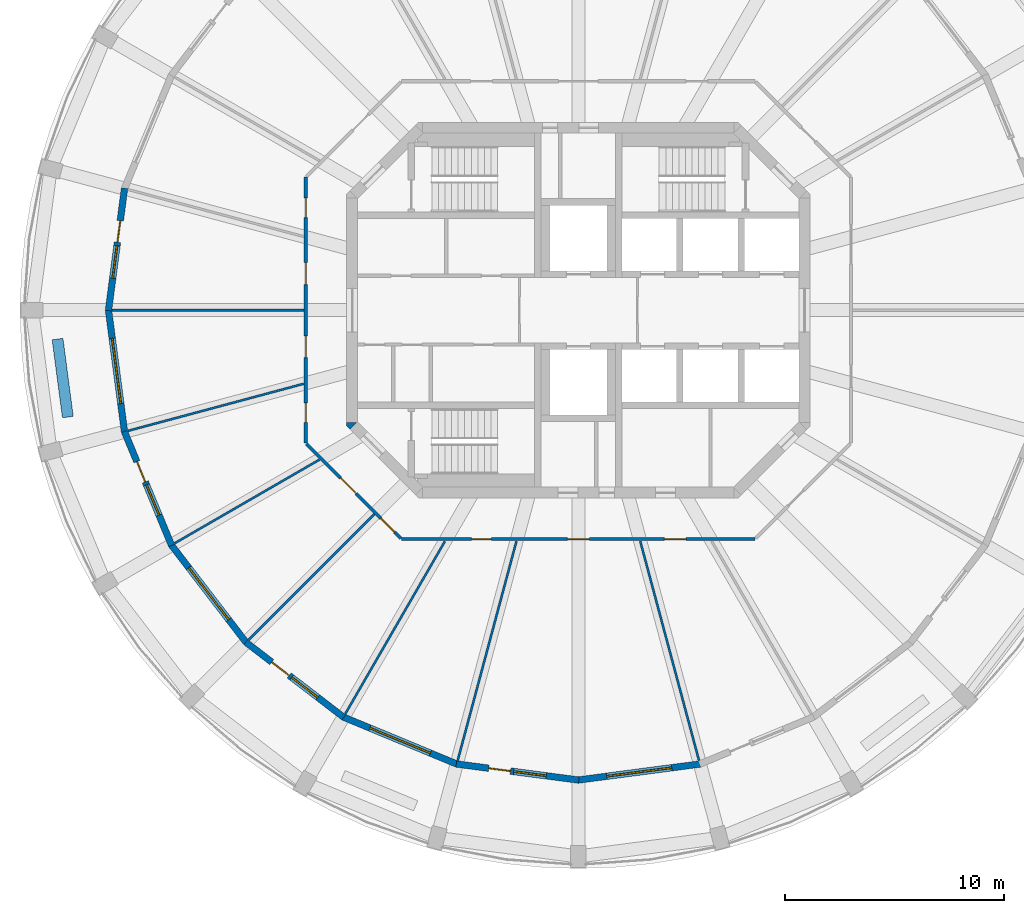
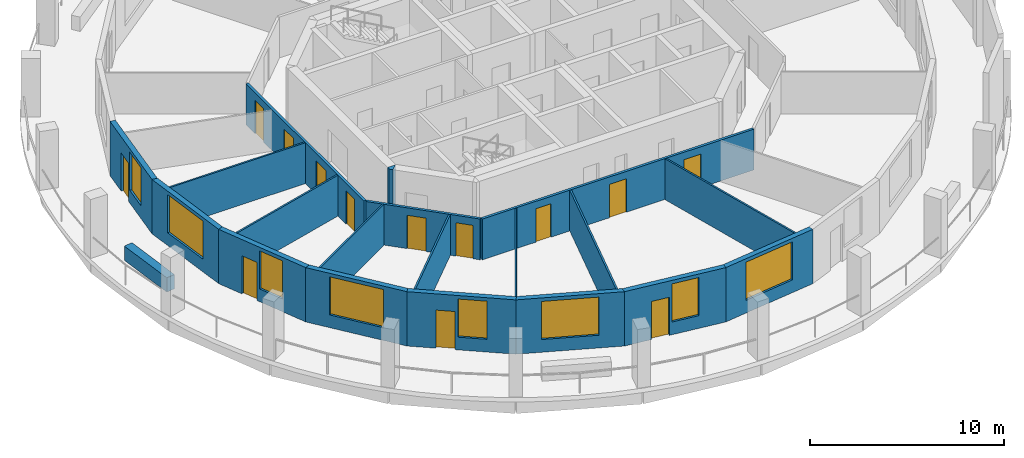
# One storey, part 2 of 8: 20 walls, 13 doors, 8 windows, 21 openings.
"""IFC4 building model written with IfcOpenShell, lengths in metres."""

import ifcopenshell
import ifcopenshell.guid

model = None  # the IFC model being written
_history = None  # IfcOwnerHistory: only IFC2X3 demands one
_inside = {}  # id of a spatial element -> (the spatial element, [elements in it])
_under = {}  # id of a project, library or spatial element -> (it, [spatial elements below it])
_declared = {}  # id of a project -> (the project, [libraries it declares])
_typed = {}  # id of a type object -> (the type object, [elements of that type])
_made_of = {}  # id of a material, layer set ... -> (it, [elements and type objects made of it])


def new_model(schema):
    """Start an empty IFC model of exactly this schema.

    Asked for "IFC4X3", IfcOpenShell would pick the latest addendum, in which some entities
    have other attributes; the version numbers below select the first issue.
    IFC2X3 requires an IfcOwnerHistory on every rooted entity: one is made here for all.
    """
    global model, _history
    if schema == "IFC4X3":
        model = ifcopenshell.file(schema_version=(4, 3, 0, 0))
    else:
        model = ifcopenshell.file(schema=schema)
    _inside.clear()
    _under.clear()
    _declared.clear()
    _typed.clear()
    _made_of.clear()
    _history = None
    if model.schema == "IFC2X3":
        org = make("IfcOrganization", Name="unknown")
        user = make(
            "IfcPersonAndOrganization",
            ThePerson=make("IfcPerson", FamilyName="unknown"),
            TheOrganization=org,
        )
        app = make(
            "IfcApplication",
            ApplicationDeveloper=org,
            Version="unknown",
            ApplicationFullName="unknown",
            ApplicationIdentifier="unknown",
        )
        _history = make(
            "IfcOwnerHistory",
            OwningUser=user,
            OwningApplication=app,
            ChangeAction="ADDED",
            CreationDate=0,
        )
    return model


def make(cls, **values):
    """One entity of the class cls with the attributes given. An attribute that is None is left unset."""
    return model.create_entity(
        cls, **{name: value for name, value in values.items() if value is not None}
    )


def rooted(cls, **values):
    """An entity with a GlobalId (a new one), such as an element, a storey or a relation."""
    return make(cls, GlobalId=ifcopenshell.guid.new(), OwnerHistory=_history, **values)


def si_unit(unit_type, name, prefix=None):
    """IfcSIUnit, for example si_unit("LENGTHUNIT", "METRE", prefix="MILLI")."""
    return make("IfcSIUnit", UnitType=unit_type, Prefix=prefix, Name=name)


def assignment(units):
    """IfcUnitAssignment: the units of a project."""
    return None if units is None else make("IfcUnitAssignment", Units=units)


def point(xyz):
    """IfcCartesianPoint."""
    return None if xyz is None else make("IfcCartesianPoint", Coordinates=xyz)


def direction(xyz):
    """IfcDirection."""
    return None if xyz is None else make("IfcDirection", DirectionRatios=xyz)


def frame(location, z_axis=None, x_axis=None):
    """IfcAxis2Placement3D, a coordinate frame: its origin and axes. An axis left out is left unset."""
    return make(
        "IfcAxis2Placement3D",
        Location=point(location),
        Axis=direction(z_axis),
        RefDirection=direction(x_axis),
    )


def frame_2d(location, x_axis=None):
    """IfcAxis2Placement2D, a coordinate frame in the plane: its origin and x axis."""
    return make(
        "IfcAxis2Placement2D", Location=point(location), RefDirection=direction(x_axis)
    )


def origin():
    """The frame at (0, 0, 0) with its axes left unset."""
    return frame((0.0, 0.0, 0.0))


def place(relative_to, where):
    """IfcLocalPlacement: puts the frame where relative to a parent placement (None: the world)."""
    return make(
        "IfcLocalPlacement", PlacementRelTo=relative_to, RelativePlacement=where
    )


def context(
    kind, dimensions, precision=None, world=None, true_north=None, identifier=None
):
    """IfcGeometricRepresentationContext, for example the 3D "Model" context."""
    return make(
        "IfcGeometricRepresentationContext",
        ContextIdentifier=identifier,
        ContextType=kind,
        CoordinateSpaceDimension=dimensions,
        Precision=precision,
        WorldCoordinateSystem=world,
        TrueNorth=true_north,
    )


def subcontext(parent, identifier, kind, view, scale=None):
    """IfcGeometricRepresentationSubContext, for example "Body" below "Model"."""
    return make(
        "IfcGeometricRepresentationSubContext",
        ContextIdentifier=identifier,
        ContextType=kind,
        ParentContext=parent,
        TargetScale=scale,
        TargetView=view,
    )


def project(units=None, contexts=None):
    """IfcProject with its units and contexts."""
    return rooted(
        "IfcProject",
        Name="project",
        RepresentationContexts=contexts,
        UnitsInContext=assignment(units),
    )


def spatial(cls, under=None, at=None, **own):
    """A site, building, storey or space (cls), placed at a placement, below another one or the project."""
    s = rooted(cls, ObjectPlacement=at, **own)
    if under is not None:
        _under.setdefault(under.id(), (under, []))[1].append(s)
    return s


def polyline(points):
    """IfcPolyline through the points."""
    return make("IfcPolyline", Points=[point(p) for p in points])


def profile(cls, at=None, kind="AREA", **sizes):
    """A parametric profile (cls). Its sizes go by their IFC names, for example OverallWidth=200.0."""
    return make(cls, ProfileType=kind, Position=at, **sizes)


def rectangle(**sizes):
    """IfcRectangleProfileDef."""
    return profile("IfcRectangleProfileDef", **sizes)


def outline(outer, holes=None, kind="AREA"):
    """IfcArbitraryClosedProfileDef: a profile drawn as a closed curve; with holes, ...WithVoids."""
    if holes is None:
        return make("IfcArbitraryClosedProfileDef", ProfileType=kind, OuterCurve=outer)
    return make(
        "IfcArbitraryProfileDefWithVoids",
        ProfileType=kind,
        OuterCurve=outer,
        InnerCurves=holes,
    )


def extrude(swept, where, along, depth):
    """IfcExtrudedAreaSolid: the profile swept, set in the frame where, extruded along a direction by depth."""
    return make(
        "IfcExtrudedAreaSolid",
        SweptArea=swept,
        Position=where,
        ExtrudedDirection=direction(along),
        Depth=depth,
    )


def shape(context_of_items, identifier, shape_type, items):
    """IfcShapeRepresentation: the items that make up one representation, for example the "Body"."""
    return make(
        "IfcShapeRepresentation",
        ContextOfItems=context_of_items,
        RepresentationIdentifier=identifier,
        RepresentationType=shape_type,
        Items=items,
    )


def material(Name=None, Category=None):
    """IfcMaterial."""
    return make("IfcMaterial", Name=Name, Category=Category)


def layer(
    of_material, thickness, ventilated=None, Name=None, Category=None, Priority=None
):
    """IfcMaterialLayer: one layer of a wall or slab, of a material (None: an air gap)."""
    return make(
        "IfcMaterialLayer",
        Material=of_material,
        LayerThickness=thickness,
        IsVentilated=ventilated,
        Name=Name,
        Category=Category,
        Priority=Priority,
    )


def layer_set(layers, Name=None):
    """IfcMaterialLayerSet."""
    return make("IfcMaterialLayerSet", MaterialLayers=layers, LayerSetName=Name)


def made_of(thing, what):
    """Note that an element or type object is made of a material, layer set ...; save() writes the relation."""
    if what is not None:
        _made_of.setdefault(what.id(), (what, []))[1].append(thing)
    return thing


def type_object(cls, material=None, **own):
    """A type object (cls), such as IfcWallType, which elements share."""
    return made_of(rooted(cls, **own), material)


def element(
    cls,
    number,
    at=None,
    inside=None,
    cuts=None,
    type_object=None,
    material=None,
    context=None,
    identifier="Body",
    shape_type=None,
    held_by="IfcProductDefinitionShape",
    body=None,
    shapes=None,
    **own,
):
    """One element of the class cls, such as IfcWall. Its Tag is "e" and its number.

    at: its placement. inside: the storey or other place that contains it. cuts: it is an
    opening in that element (IfcRelVoidsElement). A single representation is given by context,
    identifier, shape_type and body (its items); several are given by shapes. held_by: the class
    of the entity that holds the representations. save() writes the other relations.
    """
    e = rooted(cls, Tag="e%d" % number, ObjectPlacement=at, **own)
    if body is not None:
        shapes = [shape(context, identifier, shape_type, body)]
    if shapes is not None:
        e.Representation = make(held_by, Representations=shapes)
    if inside is not None:
        _inside.setdefault(inside.id(), (inside, []))[1].append(e)
    if cuts is not None:
        rooted(
            "IfcRelVoidsElement", RelatingBuildingElement=cuts, RelatedOpeningElement=e
        )
    if type_object is not None:
        _typed.setdefault(type_object.id(), (type_object, []))[1].append(e)
    return made_of(e, material)


def fill(opening, filler):
    """IfcRelFillsElement: the door or window that sits in an opening."""
    return rooted(
        "IfcRelFillsElement",
        RelatingOpeningElement=opening,
        RelatedBuildingElement=filler,
    )


def aggregate(whole, parts):
    """IfcRelAggregates: a whole, such as a stair, and the parts it consists of."""
    return rooted("IfcRelAggregates", RelatingObject=whole, RelatedObjects=parts)


def save(model, path):
    """Write the relations noted so far, then the file.

    IfcRelAggregates (storeys below a building ...), IfcRelContainedInSpatialStructure (elements
    in a storey), IfcRelDefinesByType, IfcRelAssociatesMaterial and IfcRelDeclares: one each for
    every whole, place, type object, material and project.
    """
    for whole, parts in _under.values():
        aggregate(whole, parts)
    for where, things in _inside.values():
        rooted(
            "IfcRelContainedInSpatialStructure",
            RelatedElements=things,
            RelatingStructure=where,
        )
    for kind, things in _typed.values():
        rooted("IfcRelDefinesByType", RelatedObjects=things, RelatingType=kind)
    for what, things in _made_of.values():
        rooted("IfcRelAssociatesMaterial", RelatedObjects=things, RelatingMaterial=what)
    for by, libraries in _declared.values():
        rooted("IfcRelDeclares", RelatingContext=by, RelatedDefinitions=libraries)
    model.write(path)


model = new_model("IFC4")

# Units and contexts
model_context = context("Model", 3, precision=1e-05, world=origin(), true_north=direction((0.0, 1.0)))
body_context = subcontext(model_context, "Body", "Model", "MODEL_VIEW")
ifc_project = project(units=[si_unit("LENGTHUNIT", "METRE"), si_unit("AREAUNIT", "SQUARE_METRE"), si_unit("VOLUMEUNIT", "CUBIC_METRE"), si_unit("PLANEANGLEUNIT", "RADIAN"), si_unit("MASSUNIT", "GRAM", prefix="KILO")], contexts=[model_context])

# Site, building, storey
site_placement = place(None, origin())
site = spatial("IfcSite", under=ifc_project, at=site_placement, CompositionType="ELEMENT")
building_placement = place(site_placement, origin())
building = spatial("IfcBuilding", under=site, at=building_placement, Name="Torre Triforio", CompositionType="ELEMENT")
storey_placement = place(building_placement, frame((0.0, 0.0, 287.10009765625)))
storey = spatial("IfcBuildingStorey", under=building, at=storey_placement, Name="L66", CompositionType="ELEMENT", Elevation=287.10009765625)

# Wall
ifc_material_1 = material(Name="Concrete C40", Category="concrete")
ifc_layer_1 = layer(ifc_material_1, 0.5)
ifc_layer_set_1 = layer_set([ifc_layer_1], Name="Concrete C40")
wall_type_1 = type_object("IfcWallType", Name="Core wall 500 mm C40 EI 120", PredefinedType="SHEAR", material=ifc_layer_set_1)
wall_1_placement = place(storey_placement, frame((0.0, 0.0, -0.280029296875)))
element("IfcWall", 1, at=wall_1_placement, inside=storey, type_object=wall_type_1, Name="Core wall", PredefinedType="SHEAR", context=body_context, shape_type="SweptSolid", body=[
    extrude(outline(polyline([(-10.60009765625, -5.30712890625), (-10.60009765625, -5.1298828125), (-10.1298828125, -5.1298828125), (-10.45361328125, -5.45361328125), (-10.60009765625, -5.30712890625)])), origin(), (0.0, 0.0, 1.0), 3.699951171875),
])

# Wall, openings, doors
ifc_material_2 = material(Name="Plasterboard on metal studs")
ifc_layer_2 = layer(ifc_material_2, 0.14990234375)
ifc_layer_set_2 = layer_set([ifc_layer_2], Name="Plasterboard on metal studs")
wall_type_2 = type_object("IfcWallType", Name="Corridor and tenancy wall 150 mm EI 60", PredefinedType="PARTITIONING", material=ifc_layer_set_2)
wall_2_placement = place(storey_placement, frame((8.083740234375, -10.47509765625, 0.0), z_axis=(0.0, 0.0, 1.0), x_axis=(-1.0, 0.0, 0.0)))
wall_2 = element("IfcWall", 2, at=wall_2_placement, inside=storey, type_object=wall_type_2, Name="Partition 2", PredefinedType="PARTITIONING", context=body_context, shape_type="SweptSolid", body=[
    extrude(rectangle(XDim=16.16748046875, YDim=0.14990234375, at=frame_2d((8.083740234375, 0.0))), origin(), (0.0, 0.0, 1.0), 2.56982421875),
])
opening_1_placement = place(wall_2_placement, frame((12.06494140625, 0.0, 0.0)))
opening_1 = element("IfcOpeningElement", 3, at=opening_1_placement, cuts=wall_2, Name="Opening X1-15", PredefinedType="OPENING", context=body_context, shape_type="SweptSolid", body=[
    extrude(rectangle(XDim=0.89990234375, YDim=2.10009765625, at=frame_2d((0.449951171875, 1.050048828125))), frame((0.0, 0.0849609375, 0.0), z_axis=(0.0, -1.0, 0.0), x_axis=(1.0, 0.0, 0.0)), (0.0, 0.0, 1.0), 0.169921875),
])
opening_2_placement = place(wall_2_placement, frame((7.583740234375, 0.0, 0.0)))
opening_2 = element("IfcOpeningElement", 4, at=opening_2_placement, cuts=wall_2, Name="Opening X1-16", PredefinedType="OPENING", context=body_context, shape_type="SweptSolid", body=[
    extrude(rectangle(XDim=1.0, YDim=2.10009765625, at=frame_2d((0.5, 1.050048828125))), frame((0.0, 0.0849609375, 0.0), z_axis=(0.0, -1.0, 0.0), x_axis=(1.0, 0.0, 0.0)), (0.0, 0.0, 1.0), 0.169921875),
])
opening_3_placement = place(wall_2_placement, frame((3.152587890625, 0.0, 0.0)))
opening_3 = element("IfcOpeningElement", 5, at=opening_3_placement, cuts=wall_2, Name="Opening X1-17", PredefinedType="OPENING", context=body_context, shape_type="SweptSolid", body=[
    extrude(rectangle(XDim=1.0, YDim=2.10009765625, at=frame_2d((0.5, 1.050048828125))), frame((0.0, 0.0849609375, 0.0), z_axis=(0.0, -1.0, 0.0), x_axis=(1.0, 0.0, 0.0)), (0.0, 0.0, 1.0), 0.169921875),
])
ifc_material_3 = material(Name="Timber", Category="wood")
door_type_1 = type_object("IfcDoorType", Name="Door 1000 x 2100 single leaf EI 30", OperationType="NOTDEFINED", PredefinedType="DOOR", material=ifc_material_3)
door_1_placement = place(opening_2_placement, origin())
door_1 = element("IfcDoor", 6, at=door_1_placement, inside=storey, type_object=door_type_1, Name="Door X1-16", OperationType="SINGLE_SWING_LEFT", OverallHeight=2.10009765625, OverallWidth=1.0, PredefinedType="DOOR", context=body_context, shape_type="SweptSolid", body=[
    extrude(rectangle(XDim=1.0, YDim=2.10009765625, at=frame_2d((0.5, 1.050048828125))), frame((0.0, 0.02490234375, 0.0), z_axis=(0.0, -1.0, 0.0), x_axis=(1.0, 0.0, 0.0)), (0.0, 0.0, 1.0), 0.050048828125),
])
fill(opening_2, door_1)
door_2_placement = place(opening_3_placement, origin())
door_2 = element("IfcDoor", 7, at=door_2_placement, inside=storey, type_object=door_type_1, Name="Door X1-17", OperationType="SINGLE_SWING_LEFT", OverallHeight=2.10009765625, OverallWidth=1.0, PredefinedType="DOOR", context=body_context, shape_type="SweptSolid", body=[
    extrude(rectangle(XDim=1.0, YDim=2.10009765625, at=frame_2d((0.5, 1.050048828125))), frame((0.0, 0.02490234375, 0.0), z_axis=(0.0, -1.0, 0.0), x_axis=(1.0, 0.0, 0.0)), (0.0, 0.0, 1.0), 0.050048828125),
])
fill(opening_3, door_2)
door_type_2 = type_object("IfcDoorType", Name="Door 900 x 2100 single leaf EI 30", OperationType="NOTDEFINED", PredefinedType="DOOR", material=ifc_material_3)
door_3_placement = place(opening_1_placement, origin())
door_3 = element("IfcDoor", 8, at=door_3_placement, inside=storey, type_object=door_type_2, Name="Door X1-15", OperationType="SINGLE_SWING_RIGHT", OverallHeight=2.10009765625, OverallWidth=0.89990234375, PredefinedType="DOOR", context=body_context, shape_type="SweptSolid", body=[
    extrude(rectangle(XDim=0.89990234375, YDim=2.10009765625, at=frame_2d((0.449951171875, 1.050048828125))), frame((0.0, 0.02490234375, 0.0), z_axis=(0.0, -1.0, 0.0), x_axis=(1.0, 0.0, 0.0)), (0.0, 0.0, 1.0), 0.050048828125),
])
fill(opening_1, door_3)

wall_3_placement = place(storey_placement, frame((-8.120849609375, -10.43798828125, 0.0), z_axis=(0.0, 0.0, 1.0), x_axis=(-0.707106781187, 0.707106781187, 0.0)))
wall_3 = element("IfcWall", 9, at=wall_3_placement, inside=storey, type_object=wall_type_2, Name="Partition 3", PredefinedType="PARTITIONING", context=body_context, shape_type="SweptSolid", body=[
    extrude(rectangle(XDim=6.10546875, YDim=0.14990234375, at=frame_2d((3.052734375, 0.0))), origin(), (0.0, 0.0, 1.0), 2.56982421875),
])
opening_4_placement = place(wall_3_placement, frame((2.8974609375, 0.0, 0.0)))
opening_4 = element("IfcOpeningElement", 10, at=opening_4_placement, cuts=wall_3, Name="Opening X1-13", PredefinedType="OPENING", context=body_context, shape_type="SweptSolid", body=[
    extrude(rectangle(XDim=1.0, YDim=2.10009765625, at=frame_2d((0.5, 1.050048828125))), frame((0.0, 0.0849609375, 0.0), z_axis=(0.0, -1.0, 0.0), x_axis=(1.0, 0.0, 0.0)), (0.0, 0.0, 1.0), 0.169921875),
])
opening_5_placement = place(wall_3_placement, frame((0.394287109375, 0.0, 0.0)))
opening_5 = element("IfcOpeningElement", 11, at=opening_5_placement, cuts=wall_3, Name="Opening X1-14", PredefinedType="OPENING", context=body_context, shape_type="SweptSolid", body=[
    extrude(rectangle(XDim=0.89990234375, YDim=2.10009765625, at=frame_2d((0.449951171875, 1.050048828125))), frame((0.0, 0.0849609375, 0.0), z_axis=(0.0, -1.0, 0.0), x_axis=(1.0, 0.0, 0.0)), (0.0, 0.0, 1.0), 0.169921875),
])
door_4_placement = place(opening_4_placement, origin())
door_4 = element("IfcDoor", 12, at=door_4_placement, inside=storey, type_object=door_type_1, Name="Door X1-13", OperationType="SINGLE_SWING_LEFT", OverallHeight=2.10009765625, OverallWidth=1.0, PredefinedType="DOOR", context=body_context, shape_type="SweptSolid", body=[
    extrude(rectangle(XDim=1.0, YDim=2.10009765625, at=frame_2d((0.5, 1.050048828125))), frame((0.0, 0.02490234375, 0.0), z_axis=(0.0, -1.0, 0.0), x_axis=(1.0, 0.0, 0.0)), (0.0, 0.0, 1.0), 0.050048828125),
])
fill(opening_4, door_4)
door_5_placement = place(opening_5_placement, origin())
door_5 = element("IfcDoor", 13, at=door_5_placement, inside=storey, type_object=door_type_2, Name="Door X1-14", OperationType="SINGLE_SWING_LEFT", OverallHeight=2.10009765625, OverallWidth=0.89990234375, PredefinedType="DOOR", context=body_context, shape_type="SweptSolid", body=[
    extrude(rectangle(XDim=0.89990234375, YDim=2.10009765625, at=frame_2d((0.449951171875, 1.050048828125))), frame((0.0, 0.02490234375, 0.0), z_axis=(0.0, -1.0, 0.0), x_axis=(1.0, 0.0, 0.0)), (0.0, 0.0, 1.0), 0.050048828125),
])
fill(opening_5, door_5)

wall_4_placement = place(storey_placement, frame((-12.47509765625, -6.083740234375, 0.0), z_axis=(0.0, 0.0, 1.0), x_axis=(0.0, 1.0, 0.0)))
wall_4 = element("IfcWall", 14, at=wall_4_placement, inside=storey, type_object=wall_type_2, Name="Partition 4", PredefinedType="PARTITIONING", context=body_context, shape_type="SweptSolid", body=[
    extrude(rectangle(XDim=12.16748046875, YDim=0.14990234375, at=frame_2d((6.083740234375, 0.0))), origin(), (0.0, 0.0, 1.0), 2.56982421875),
])
opening_6_placement = place(wall_4_placement, frame((10.322021484375, 0.0, 0.0)))
opening_6 = element("IfcOpeningElement", 15, at=opening_6_placement, cuts=wall_4, Name="Opening X1-09", PredefinedType="OPENING", context=body_context, shape_type="SweptSolid", body=[
    extrude(rectangle(XDim=0.89990234375, YDim=2.10009765625, at=frame_2d((0.449951171875, 1.050048828125))), frame((0.0, 0.0849609375, 0.0), z_axis=(0.0, -1.0, 0.0), x_axis=(1.0, 0.0, 0.0)), (0.0, 0.0, 1.0), 0.169921875),
])
opening_7_placement = place(wall_4_placement, frame((7.256103515625, 0.0, 0.0)))
opening_7 = element("IfcOpeningElement", 16, at=opening_7_placement, cuts=wall_4, Name="Opening X1-10", PredefinedType="OPENING", context=body_context, shape_type="SweptSolid", body=[
    extrude(rectangle(XDim=1.0, YDim=2.10009765625, at=frame_2d((0.5, 1.050048828125))), frame((0.0, 0.0849609375, 0.0), z_axis=(0.0, -1.0, 0.0), x_axis=(1.0, 0.0, 0.0)), (0.0, 0.0, 1.0), 0.169921875),
])
opening_8_placement = place(wall_4_placement, frame((3.91162109375, 0.0, 0.0)))
opening_8 = element("IfcOpeningElement", 17, at=opening_8_placement, cuts=wall_4, Name="Opening X1-11", PredefinedType="OPENING", context=body_context, shape_type="SweptSolid", body=[
    extrude(rectangle(XDim=1.0, YDim=2.10009765625, at=frame_2d((0.5, 1.050048828125))), frame((0.0, 0.0849609375, 0.0), z_axis=(0.0, -1.0, 0.0), x_axis=(1.0, 0.0, 0.0)), (0.0, 0.0, 1.0), 0.169921875),
])
opening_9_placement = place(wall_4_placement, frame((0.945556640625, 0.0, 0.0)))
opening_9 = element("IfcOpeningElement", 18, at=opening_9_placement, cuts=wall_4, Name="Opening X1-12", PredefinedType="OPENING", context=body_context, shape_type="SweptSolid", body=[
    extrude(rectangle(XDim=0.89990234375, YDim=2.10009765625, at=frame_2d((0.449951171875, 1.050048828125))), frame((0.0, 0.0849609375, 0.0), z_axis=(0.0, -1.0, 0.0), x_axis=(1.0, 0.0, 0.0)), (0.0, 0.0, 1.0), 0.169921875),
])
door_6_placement = place(opening_7_placement, origin())
door_6 = element("IfcDoor", 19, at=door_6_placement, inside=storey, type_object=door_type_1, Name="Door X1-10", OperationType="SINGLE_SWING_RIGHT", OverallHeight=2.10009765625, OverallWidth=1.0, PredefinedType="DOOR", context=body_context, shape_type="SweptSolid", body=[
    extrude(rectangle(XDim=1.0, YDim=2.10009765625, at=frame_2d((0.5, 1.050048828125))), frame((0.0, 0.02490234375, 0.0), z_axis=(0.0, -1.0, 0.0), x_axis=(1.0, 0.0, 0.0)), (0.0, 0.0, 1.0), 0.050048828125),
])
fill(opening_7, door_6)
door_7_placement = place(opening_8_placement, origin())
door_7 = element("IfcDoor", 20, at=door_7_placement, inside=storey, type_object=door_type_1, Name="Door X1-11", OperationType="SINGLE_SWING_LEFT", OverallHeight=2.10009765625, OverallWidth=1.0, PredefinedType="DOOR", context=body_context, shape_type="SweptSolid", body=[
    extrude(rectangle(XDim=1.0, YDim=2.10009765625, at=frame_2d((0.5, 1.050048828125))), frame((0.0, 0.02490234375, 0.0), z_axis=(0.0, -1.0, 0.0), x_axis=(1.0, 0.0, 0.0)), (0.0, 0.0, 1.0), 0.050048828125),
])
fill(opening_8, door_7)
door_8_placement = place(opening_6_placement, origin())
door_8 = element("IfcDoor", 21, at=door_8_placement, inside=storey, type_object=door_type_2, Name="Door X1-09", OperationType="SINGLE_SWING_LEFT", OverallHeight=2.10009765625, OverallWidth=0.89990234375, PredefinedType="DOOR", context=body_context, shape_type="SweptSolid", body=[
    extrude(rectangle(XDim=0.89990234375, YDim=2.10009765625, at=frame_2d((0.449951171875, 1.050048828125))), frame((0.0, 0.02490234375, 0.0), z_axis=(0.0, -1.0, 0.0), x_axis=(1.0, 0.0, 0.0)), (0.0, 0.0, 1.0), 0.050048828125),
])
fill(opening_6, door_8)
door_9_placement = place(opening_9_placement, origin())
door_9 = element("IfcDoor", 22, at=door_9_placement, inside=storey, type_object=door_type_2, Name="Door X1-12", OperationType="SINGLE_SWING_LEFT", OverallHeight=2.10009765625, OverallWidth=0.89990234375, PredefinedType="DOOR", context=body_context, shape_type="SweptSolid", body=[
    extrude(rectangle(XDim=0.89990234375, YDim=2.10009765625, at=frame_2d((0.449951171875, 1.050048828125))), frame((0.0, 0.02490234375, 0.0), z_axis=(0.0, -1.0, 0.0), x_axis=(1.0, 0.0, 0.0)), (0.0, 0.0, 1.0), 0.050048828125),
])
fill(opening_9, door_9)

# Walls
ifc_layer_3 = layer(ifc_material_2, 0.10009765625)
ifc_layer_set_3 = layer_set([ifc_layer_3], Name="Plasterboard on metal studs")
wall_type_3 = type_object("IfcWallType", Name="Partition 100 mm board on metal studs", PredefinedType="PARTITIONING", material=ifc_layer_set_3)
wall_5_placement = place(storey_placement, frame((-12.550048828125, 0.0, 0.0), z_axis=(0.0, 0.0, 1.0), x_axis=(-1.0, 0.0, 0.0)))
element("IfcWall", 23, at=wall_5_placement, inside=storey, type_object=wall_type_3, Name="Partition 17", PredefinedType="PARTITIONING", context=body_context, shape_type="SweptSolid", body=[
    extrude(rectangle(XDim=8.78662109375, YDim=0.10009765625, at=frame_2d((4.393310546875, 0.0))), origin(), (0.0, 0.0, 1.0), 2.56982421875),
])
wall_6_placement = place(storey_placement, frame((-12.564208984375, -3.36669921875, 0.0), z_axis=(0.0, 0.0, 1.0), x_axis=(-0.965933136847, -0.258791760188, 0.0)))
element("IfcWall", 24, at=wall_6_placement, inside=storey, type_object=wall_type_3, Name="Partition 18", PredefinedType="PARTITIONING", context=body_context, shape_type="SweptSolid", body=[
    extrude(rectangle(XDim=8.3291015625, YDim=0.10009765625, at=frame_2d((4.16455078125, 0.0))), origin(), (0.0, 0.0, 1.0), 2.56982421875),
])
wall_7_placement = place(storey_placement, frame((-11.845947265625, -6.839111328125, 0.0), z_axis=(0.0, 0.0, 1.0), x_axis=(-0.866007734672, -0.500030602552, 0.0)))
element("IfcWall", 25, at=wall_7_placement, inside=storey, type_object=wall_type_3, Name="Partition 19", PredefinedType="PARTITIONING", context=body_context, shape_type="SweptSolid", body=[
    extrude(rectangle(XDim=7.658203125, YDim=0.10009765625, at=frame_2d((3.8291015625, 0.0))), origin(), (0.0, 0.0, 1.0), 2.56982421875),
])
wall_8_placement = place(storey_placement, frame((-9.33251953125, -9.33251953125, 0.0), z_axis=(0.0, 0.0, 1.0), x_axis=(-0.707106781187, -0.707106781187, 0.0)))
element("IfcWall", 26, at=wall_8_placement, inside=storey, type_object=wall_type_3, Name="Partition 20", PredefinedType="PARTITIONING", context=body_context, shape_type="SweptSolid", body=[
    extrude(rectangle(XDim=8.138671875, YDim=0.10009765625, at=frame_2d((4.0693359375, 0.0))), origin(), (0.0, 0.0, 1.0), 2.56982421875),
])
wall_9_placement = place(storey_placement, frame((-6.105224609375, -10.57470703125, 0.0), z_axis=(0.0, 0.0, 1.0), x_axis=(-0.500020406621, -0.866013621696, 0.0)))
element("IfcWall", 27, at=wall_9_placement, inside=storey, type_object=wall_type_3, Name="Partition 21", PredefinedType="PARTITIONING", context=body_context, shape_type="SweptSolid", body=[
    extrude(rectangle(XDim=9.1259765625, YDim=0.10009765625, at=frame_2d((4.56298828125, 0.0))), origin(), (0.0, 0.0, 1.0), 2.56982421875),
])
for number, where, z_axis, x_axis, name in (
    (28, (-2.830810546875, -10.564208984375, 0.0), (0.0, 0.0, 1.0), (-0.258796321138, -0.965931914871, 0.0), "Partition 22"),
    (29, (2.830810546875, -10.564208984375, 0.0), (0.0, 0.0, 1.0), (0.258796321138, -0.965931914871, 0.0), "Partition 23"),
):
    element("IfcWall", number, at=place(storey_placement, frame(where, z_axis=z_axis, x_axis=x_axis)), inside=storey, type_object=wall_type_3, Name=name, PredefinedType="PARTITIONING", context=body_context, shape_type="SweptSolid", body=[
        extrude(rectangle(XDim=10.399658203125, YDim=0.10009765625, at=frame_2d((5.19970703125, 0.0))), origin(), (0.0, 0.0, 1.0), 2.56982421875),
    ])
ifc_material_4 = material(Name="Limestone cladding", Category="masonry")
ifc_layer_4 = layer(ifc_material_4, 0.10009765625)
ifc_layer_5 = layer(ifc_material_1, 0.39990234375)
ifc_layer_set_4 = layer_set([ifc_layer_4, ifc_layer_5], Name="Limestone cladding / Concrete C40")
wall_type_4 = type_object("IfcWallType", Name="Planter wall 500", PredefinedType="PARAPET", material=ifc_layer_set_4)
wall_10_placement = place(storey_placement, frame((-23.831298828125, -1.322021484375, 0.0), z_axis=(0.0, 0.0, 1.0), x_axis=(0.130551000099, -0.991441595039, 0.0)))
element("IfcWall", 30, at=wall_10_placement, inside=storey, type_object=wall_type_4, Name="Planter L66 bay 13", PredefinedType="PARAPET", context=body_context, shape_type="SweptSolid", body=[
    extrude(rectangle(XDim=3.599853515625, YDim=0.5, at=frame_2d((1.7998046875, 0.0))), origin(), (0.0, 0.0, 1.0), 0.89990234375),
])

# Wall, openings, door, window
ifc_layer_6 = layer(ifc_material_4, 0.10009765625)
ifc_layer_7 = layer(ifc_material_1, 0.199951171875)
ifc_layer_set_5 = layer_set([ifc_layer_6, ifc_layer_7], Name="Limestone cladding / Concrete C40")
wall_type_5 = type_object("IfcWallType", Name="Stone-faced composite wall 300", PredefinedType="STANDARD", material=ifc_layer_set_5)
wall_11_placement = place(storey_placement, frame((-20.764892578125, 5.584228515625, 0.0), z_axis=(0.0, 0.0, 1.0), x_axis=(-0.130533844229, -0.991443853938, 0.0)))
wall_11 = element("IfcWall", 31, at=wall_11_placement, inside=storey, type_object=wall_type_5, Name="External wall L66 bay 12", PredefinedType="STANDARD", context=body_context, shape_type="SweptSolid", body=[
    extrude(rectangle(XDim=5.652099609375, YDim=0.300048828125, at=frame_2d((2.826171875, 0.0))), origin(), (0.0, 0.0, 1.0), 3.419921875),
])
opening_10_placement = place(wall_11_placement, frame((1.501220703125, 0.0, 0.0)))
opening_10 = element("IfcOpeningElement", 32, at=opening_10_placement, cuts=wall_11, Name="Opening X1-D12", PredefinedType="OPENING", context=body_context, shape_type="SweptSolid", body=[
    extrude(rectangle(XDim=1.0, YDim=2.39990234375, at=frame_2d((0.5, 1.199951171875))), frame((0.0, 0.159912109375, 0.0), z_axis=(0.0, -1.0, 0.0), x_axis=(1.0, 0.0, 0.0)), (0.0, 0.0, 1.0), 0.320068359375),
])
opening_11_placement = place(wall_11_placement, frame((2.651123046875, 0.0, 0.800048828125)))
opening_11 = element("IfcOpeningElement", 33, at=opening_11_placement, cuts=wall_11, Name="Opening X1-W12A", PredefinedType="OPENING", context=body_context, shape_type="SweptSolid", body=[
    extrude(rectangle(XDim=1.5, YDim=2.39990234375, at=frame_2d((0.75, 1.199951171875))), frame((0.0, 0.159912109375, 0.0), z_axis=(0.0, -1.0, 0.0), x_axis=(1.0, 0.0, 0.0)), (0.0, 0.0, 1.0), 0.320068359375),
])
ifc_material_5 = material(Name="Aluminium frame with clear double glazing", Category="aluminium")
door_type_3 = type_object("IfcDoorType", Name="Loggia door 1000 x 2400", OperationType="NOTDEFINED", PredefinedType="DOOR", material=ifc_material_5)
door_10_placement = place(opening_10_placement, origin())
door_10 = element("IfcDoor", 34, at=door_10_placement, inside=storey, type_object=door_type_3, Name="Loggia door L66 bay 12", OperationType="SINGLE_SWING_LEFT", OverallHeight=2.39990234375, OverallWidth=1.0, PredefinedType="DOOR", context=body_context, shape_type="SweptSolid", body=[
    extrude(rectangle(XDim=1.0, YDim=2.39990234375, at=frame_2d((0.5, 1.199951171875))), frame((0.0, 0.02490234375, 0.0), z_axis=(0.0, -1.0, 0.0), x_axis=(1.0, 0.0, 0.0)), (0.0, 0.0, 1.0), 0.050048828125),
])
fill(opening_10, door_10)
window_type_1 = type_object("IfcWindowType", Name="Side window 1500 x 2400", PartitioningType="SINGLE_PANEL", PredefinedType="WINDOW", material=ifc_material_5)
window_1_placement = place(opening_11_placement, origin())
window_1 = element("IfcWindow", 35, at=window_1_placement, inside=storey, type_object=window_type_1, Name="Side window EWN14 L66 bay 12", OverallHeight=2.39990234375, OverallWidth=1.5, PartitioningType="SINGLE_PANEL", PredefinedType="WINDOW", context=body_context, shape_type="SweptSolid", body=[
    extrude(rectangle(XDim=1.5, YDim=2.39990234375, at=frame_2d((0.75, 1.199951171875))), frame((0.0, 0.030029296875, 0.0), z_axis=(0.0, -1.0, 0.0), x_axis=(1.0, 0.0, 0.0)), (0.0, 0.0, 1.0), 0.06005859375),
])
fill(opening_11, window_1)

# Wall, opening, window
wall_12_placement = place(storey_placement, frame((-21.502685546875, 0.01953125, 0.0), z_axis=(0.0, 0.0, 1.0), x_axis=(0.130533844229, -0.991443853938, 0.0)))
wall_12 = element("IfcWall", 36, at=wall_12_placement, inside=storey, type_object=wall_type_5, Name="External wall L66 bay 13", PredefinedType="STANDARD", context=body_context, shape_type="SweptSolid", body=[
    extrude(rectangle(XDim=5.652099609375, YDim=0.300048828125, at=frame_2d((2.826171875, 0.0))), origin(), (0.0, 0.0, 1.0), 3.419921875),
])
opening_12_placement = place(wall_12_placement, frame((1.326171875, 0.0, 0.800048828125)))
opening_12 = element("IfcOpeningElement", 37, at=opening_12_placement, cuts=wall_12, Name="Opening X1-W13", PredefinedType="OPENING", context=body_context, shape_type="SweptSolid", body=[
    extrude(rectangle(XDim=3.0, YDim=2.39990234375, at=frame_2d((1.5, 1.199951171875))), frame((0.0, 0.159912109375, 0.0), z_axis=(0.0, -1.0, 0.0), x_axis=(1.0, 0.0, 0.0)), (0.0, 0.0, 1.0), 0.320068359375),
])
window_type_2 = type_object("IfcWindowType", Name="Punched window 3000 x 2400", PartitioningType="DOUBLE_PANEL_VERTICAL", PredefinedType="WINDOW", material=ifc_material_5)
window_2_placement = place(opening_12_placement, origin())
window_2 = element("IfcWindow", 38, at=window_2_placement, inside=storey, type_object=window_type_2, Name="Window EWN6 L66 bay 13", OverallHeight=2.39990234375, OverallWidth=3.0, PartitioningType="SINGLE_PANEL", PredefinedType="WINDOW", context=body_context, shape_type="SweptSolid", body=[
    extrude(rectangle(XDim=3.0, YDim=2.39990234375, at=frame_2d((1.5, 1.199951171875))), frame((0.0, 0.030029296875, 0.0), z_axis=(0.0, -1.0, 0.0), x_axis=(1.0, 0.0, 0.0)), (0.0, 0.0, 1.0), 0.06005859375),
])
fill(opening_12, window_2)

# Wall, openings, door, window
wall_13_placement = place(storey_placement, frame((-20.77490234375, -5.54638671875, 0.0), z_axis=(0.0, 0.0, 1.0), x_axis=(0.382660798975, -0.923888907244, 0.0)))
wall_13 = element("IfcWall", 39, at=wall_13_placement, inside=storey, type_object=wall_type_5, Name="External wall L66 bay 14", PredefinedType="STANDARD", context=body_context, shape_type="SweptSolid", body=[
    extrude(rectangle(XDim=5.652099609375, YDim=0.300048828125, at=frame_2d((2.826171875, 0.0))), origin(), (0.0, 0.0, 1.0), 3.419921875),
])
opening_13_placement = place(wall_13_placement, frame((1.501220703125, 0.0, 0.0)))
opening_13 = element("IfcOpeningElement", 40, at=opening_13_placement, cuts=wall_13, Name="Opening X1-D14", PredefinedType="OPENING", context=body_context, shape_type="SweptSolid", body=[
    extrude(rectangle(XDim=1.0, YDim=2.39990234375, at=frame_2d((0.5, 1.199951171875))), frame((0.0, 0.159912109375, 0.0), z_axis=(0.0, -1.0, 0.0), x_axis=(1.0, 0.0, 0.0)), (0.0, 0.0, 1.0), 0.320068359375),
])
opening_14_placement = place(wall_13_placement, frame((2.651123046875, 0.0, 0.800048828125)))
opening_14 = element("IfcOpeningElement", 41, at=opening_14_placement, cuts=wall_13, Name="Opening X1-W14A", PredefinedType="OPENING", context=body_context, shape_type="SweptSolid", body=[
    extrude(rectangle(XDim=1.5, YDim=2.39990234375, at=frame_2d((0.75, 1.199951171875))), frame((0.0, 0.159912109375, 0.0), z_axis=(0.0, -1.0, 0.0), x_axis=(1.0, 0.0, 0.0)), (0.0, 0.0, 1.0), 0.320068359375),
])
door_11_placement = place(opening_13_placement, origin())
door_11 = element("IfcDoor", 42, at=door_11_placement, inside=storey, type_object=door_type_3, Name="Loggia door L66 bay 14", OperationType="SINGLE_SWING_LEFT", OverallHeight=2.39990234375, OverallWidth=1.0, PredefinedType="DOOR", context=body_context, shape_type="SweptSolid", body=[
    extrude(rectangle(XDim=1.0, YDim=2.39990234375, at=frame_2d((0.5, 1.199951171875))), frame((0.0, 0.02490234375, 0.0), z_axis=(0.0, -1.0, 0.0), x_axis=(1.0, 0.0, 0.0)), (0.0, 0.0, 1.0), 0.050048828125),
])
fill(opening_13, door_11)
window_3_placement = place(opening_14_placement, origin())
window_3 = element("IfcWindow", 43, at=window_3_placement, inside=storey, type_object=window_type_1, Name="Side window EWN14 L66 bay 14", OverallHeight=2.39990234375, OverallWidth=1.5, PartitioningType="SINGLE_PANEL", PredefinedType="WINDOW", context=body_context, shape_type="SweptSolid", body=[
    extrude(rectangle(XDim=1.5, YDim=2.39990234375, at=frame_2d((0.75, 1.199951171875))), frame((0.0, 0.030029296875, 0.0), z_axis=(0.0, -1.0, 0.0), x_axis=(1.0, 0.0, 0.0)), (0.0, 0.0, 1.0), 0.06005859375),
])
fill(opening_14, window_3)

# Wall, opening, window
wall_14_placement = place(storey_placement, frame((-18.631591796875, -10.734375, 0.0), z_axis=(0.0, 0.0, 1.0), x_axis=(0.608747976925, -0.793363662257, 0.0)))
wall_14 = element("IfcWall", 44, at=wall_14_placement, inside=storey, type_object=wall_type_5, Name="External wall L66 bay 15", PredefinedType="STANDARD", context=body_context, shape_type="SweptSolid", body=[
    extrude(rectangle(XDim=5.652099609375, YDim=0.300048828125, at=frame_2d((2.826171875, 0.0))), origin(), (0.0, 0.0, 1.0), 3.419921875),
])
opening_15_placement = place(wall_14_placement, frame((1.326171875, 0.0, 0.800048828125)))
opening_15 = element("IfcOpeningElement", 45, at=opening_15_placement, cuts=wall_14, Name="Opening X1-W15", PredefinedType="OPENING", context=body_context, shape_type="SweptSolid", body=[
    extrude(rectangle(XDim=3.0, YDim=2.39990234375, at=frame_2d((1.5, 1.199951171875))), frame((0.0, 0.159912109375, 0.0), z_axis=(0.0, -1.0, 0.0), x_axis=(1.0, 0.0, 0.0)), (0.0, 0.0, 1.0), 0.320068359375),
])
window_4_placement = place(opening_15_placement, origin())
window_4 = element("IfcWindow", 46, at=window_4_placement, inside=storey, type_object=window_type_2, Name="Window EWN6 L66 bay 15", OverallHeight=2.39990234375, OverallWidth=3.0, PartitioningType="SINGLE_PANEL", PredefinedType="WINDOW", context=body_context, shape_type="SweptSolid", body=[
    extrude(rectangle(XDim=3.0, YDim=2.39990234375, at=frame_2d((1.5, 1.199951171875))), frame((0.0, 0.030029296875, 0.0), z_axis=(0.0, -1.0, 0.0), x_axis=(1.0, 0.0, 0.0)), (0.0, 0.0, 1.0), 0.06005859375),
])
fill(opening_15, window_4)

# Wall, openings, door, window
wall_15_placement = place(storey_placement, frame((-15.218505859375, -15.19091796875, 0.0), z_axis=(0.0, 0.0, 1.0), x_axis=(0.793363662257, -0.608747976925, 0.0)))
wall_15 = element("IfcWall", 47, at=wall_15_placement, inside=storey, type_object=wall_type_5, Name="External wall L66 bay 16", PredefinedType="STANDARD", context=body_context, shape_type="SweptSolid", body=[
    extrude(rectangle(XDim=5.652099609375, YDim=0.300048828125, at=frame_2d((2.826171875, 0.0))), origin(), (0.0, 0.0, 1.0), 3.419921875),
])
opening_16_placement = place(wall_15_placement, frame((1.501220703125, 0.0, 0.0)))
opening_16 = element("IfcOpeningElement", 48, at=opening_16_placement, cuts=wall_15, Name="Opening X1-D16", PredefinedType="OPENING", context=body_context, shape_type="SweptSolid", body=[
    extrude(rectangle(XDim=1.0, YDim=2.39990234375, at=frame_2d((0.5, 1.199951171875))), frame((0.0, 0.159912109375, 0.0), z_axis=(0.0, -1.0, 0.0), x_axis=(1.0, 0.0, 0.0)), (0.0, 0.0, 1.0), 0.320068359375),
])
opening_17_placement = place(wall_15_placement, frame((2.651123046875, 0.0, 0.800048828125)))
opening_17 = element("IfcOpeningElement", 49, at=opening_17_placement, cuts=wall_15, Name="Opening X1-W16A", PredefinedType="OPENING", context=body_context, shape_type="SweptSolid", body=[
    extrude(rectangle(XDim=1.5, YDim=2.39990234375, at=frame_2d((0.75, 1.199951171875))), frame((0.0, 0.159912109375, 0.0), z_axis=(0.0, -1.0, 0.0), x_axis=(1.0, 0.0, 0.0)), (0.0, 0.0, 1.0), 0.320068359375),
])
door_12_placement = place(opening_16_placement, origin())
door_12 = element("IfcDoor", 50, at=door_12_placement, inside=storey, type_object=door_type_3, Name="Loggia door L66 bay 16", OperationType="SINGLE_SWING_LEFT", OverallHeight=2.39990234375, OverallWidth=1.0, PredefinedType="DOOR", context=body_context, shape_type="SweptSolid", body=[
    extrude(rectangle(XDim=1.0, YDim=2.39990234375, at=frame_2d((0.5, 1.199951171875))), frame((0.0, 0.02490234375, 0.0), z_axis=(0.0, -1.0, 0.0), x_axis=(1.0, 0.0, 0.0)), (0.0, 0.0, 1.0), 0.050048828125),
])
fill(opening_16, door_12)
window_5_placement = place(opening_17_placement, origin())
window_5 = element("IfcWindow", 51, at=window_5_placement, inside=storey, type_object=window_type_1, Name="Side window EWN14 L66 bay 16", OverallHeight=2.39990234375, OverallWidth=1.5, PartitioningType="SINGLE_PANEL", PredefinedType="WINDOW", context=body_context, shape_type="SweptSolid", body=[
    extrude(rectangle(XDim=1.5, YDim=2.39990234375, at=frame_2d((0.75, 1.199951171875))), frame((0.0, 0.030029296875, 0.0), z_axis=(0.0, -1.0, 0.0), x_axis=(1.0, 0.0, 0.0)), (0.0, 0.0, 1.0), 0.06005859375),
])
fill(opening_17, window_5)

# Wall, opening, window
wall_16_placement = place(storey_placement, frame((-10.768310546875, -18.612060546875, 0.0), z_axis=(0.0, 0.0, 1.0), x_axis=(0.923888907244, -0.382660798975, 0.0)))
wall_16 = element("IfcWall", 52, at=wall_16_placement, inside=storey, type_object=wall_type_5, Name="External wall L66 bay 17", PredefinedType="STANDARD", context=body_context, shape_type="SweptSolid", body=[
    extrude(rectangle(XDim=5.652099609375, YDim=0.300048828125, at=frame_2d((2.826171875, 0.0))), origin(), (0.0, 0.0, 1.0), 3.419921875),
])
opening_18_placement = place(wall_16_placement, frame((1.326171875, 0.0, 0.800048828125)))
opening_18 = element("IfcOpeningElement", 53, at=opening_18_placement, cuts=wall_16, Name="Opening X1-W17", PredefinedType="OPENING", context=body_context, shape_type="SweptSolid", body=[
    extrude(rectangle(XDim=3.0, YDim=2.39990234375, at=frame_2d((1.5, 1.199951171875))), frame((0.0, 0.159912109375, 0.0), z_axis=(0.0, -1.0, 0.0), x_axis=(1.0, 0.0, 0.0)), (0.0, 0.0, 1.0), 0.320068359375),
])
window_6_placement = place(opening_18_placement, origin())
window_6 = element("IfcWindow", 54, at=window_6_placement, inside=storey, type_object=window_type_2, Name="Window EWN6 L66 bay 17", OverallHeight=2.39990234375, OverallWidth=3.0, PartitioningType="SINGLE_PANEL", PredefinedType="WINDOW", context=body_context, shape_type="SweptSolid", body=[
    extrude(rectangle(XDim=3.0, YDim=2.39990234375, at=frame_2d((1.5, 1.199951171875))), frame((0.0, 0.030029296875, 0.0), z_axis=(0.0, -1.0, 0.0), x_axis=(1.0, 0.0, 0.0)), (0.0, 0.0, 1.0), 0.06005859375),
])
fill(opening_18, window_6)

# Wall, openings, door, window
wall_17_placement = place(storey_placement, frame((-5.584228515625, -20.764892578125, 0.0), z_axis=(0.0, 0.0, 1.0), x_axis=(0.991443853938, -0.130533844229, 0.0)))
wall_17 = element("IfcWall", 55, at=wall_17_placement, inside=storey, type_object=wall_type_5, Name="External wall L66 bay 18", PredefinedType="STANDARD", context=body_context, shape_type="SweptSolid", body=[
    extrude(rectangle(XDim=5.652099609375, YDim=0.300048828125, at=frame_2d((2.826171875, 0.0))), origin(), (0.0, 0.0, 1.0), 3.419921875),
])
opening_19_placement = place(wall_17_placement, frame((1.501220703125, 0.0, 0.0)))
opening_19 = element("IfcOpeningElement", 56, at=opening_19_placement, cuts=wall_17, Name="Opening X1-D18", PredefinedType="OPENING", context=body_context, shape_type="SweptSolid", body=[
    extrude(rectangle(XDim=1.0, YDim=2.39990234375, at=frame_2d((0.5, 1.199951171875))), frame((0.0, 0.159912109375, 0.0), z_axis=(0.0, -1.0, 0.0), x_axis=(1.0, 0.0, 0.0)), (0.0, 0.0, 1.0), 0.320068359375),
])
opening_20_placement = place(wall_17_placement, frame((2.651123046875, 0.0, 0.800048828125)))
opening_20 = element("IfcOpeningElement", 57, at=opening_20_placement, cuts=wall_17, Name="Opening X1-W18A", PredefinedType="OPENING", context=body_context, shape_type="SweptSolid", body=[
    extrude(rectangle(XDim=1.5, YDim=2.39990234375, at=frame_2d((0.75, 1.199951171875))), frame((0.0, 0.159912109375, 0.0), z_axis=(0.0, -1.0, 0.0), x_axis=(1.0, 0.0, 0.0)), (0.0, 0.0, 1.0), 0.320068359375),
])
door_13_placement = place(opening_19_placement, origin())
door_13 = element("IfcDoor", 58, at=door_13_placement, inside=storey, type_object=door_type_3, Name="Loggia door L66 bay 18", OperationType="SINGLE_SWING_LEFT", OverallHeight=2.39990234375, OverallWidth=1.0, PredefinedType="DOOR", context=body_context, shape_type="SweptSolid", body=[
    extrude(rectangle(XDim=1.0, YDim=2.39990234375, at=frame_2d((0.5, 1.199951171875))), frame((0.0, 0.02490234375, 0.0), z_axis=(0.0, -1.0, 0.0), x_axis=(1.0, 0.0, 0.0)), (0.0, 0.0, 1.0), 0.050048828125),
])
fill(opening_19, door_13)
window_7_placement = place(opening_20_placement, origin())
window_7 = element("IfcWindow", 59, at=window_7_placement, inside=storey, type_object=window_type_1, Name="Side window EWN14 L66 bay 18", OverallHeight=2.39990234375, OverallWidth=1.5, PartitioningType="SINGLE_PANEL", PredefinedType="WINDOW", context=body_context, shape_type="SweptSolid", body=[
    extrude(rectangle(XDim=1.5, YDim=2.39990234375, at=frame_2d((0.75, 1.199951171875))), frame((0.0, 0.030029296875, 0.0), z_axis=(0.0, -1.0, 0.0), x_axis=(1.0, 0.0, 0.0)), (0.0, 0.0, 1.0), 0.06005859375),
])
fill(opening_20, window_7)

# Wall, opening, window
wall_18_placement = place(storey_placement, frame((-0.01953125, -21.502685546875, 0.0), z_axis=(0.0, 0.0, 1.0), x_axis=(0.991443853938, 0.130533844229, 0.0)))
wall_18 = element("IfcWall", 60, at=wall_18_placement, inside=storey, type_object=wall_type_5, Name="External wall L66 bay 19", PredefinedType="STANDARD", context=body_context, shape_type="SweptSolid", body=[
    extrude(rectangle(XDim=5.652099609375, YDim=0.300048828125, at=frame_2d((2.826171875, 0.0))), origin(), (0.0, 0.0, 1.0), 3.419921875),
])
opening_21_placement = place(wall_18_placement, frame((1.326171875, 0.0, 0.800048828125)))
opening_21 = element("IfcOpeningElement", 61, at=opening_21_placement, cuts=wall_18, Name="Opening X1-W19", PredefinedType="OPENING", context=body_context, shape_type="SweptSolid", body=[
    extrude(rectangle(XDim=3.0, YDim=2.39990234375, at=frame_2d((1.5, 1.199951171875))), frame((0.0, 0.159912109375, 0.0), z_axis=(0.0, -1.0, 0.0), x_axis=(1.0, 0.0, 0.0)), (0.0, 0.0, 1.0), 0.320068359375),
])
window_8_placement = place(opening_21_placement, origin())
window_8 = element("IfcWindow", 62, at=window_8_placement, inside=storey, type_object=window_type_2, Name="Window EWN6 L66 bay 19", OverallHeight=2.39990234375, OverallWidth=3.0, PartitioningType="SINGLE_PANEL", PredefinedType="WINDOW", context=body_context, shape_type="SweptSolid", body=[
    extrude(rectangle(XDim=3.0, YDim=2.39990234375, at=frame_2d((1.5, 1.199951171875))), frame((0.0, 0.030029296875, 0.0), z_axis=(0.0, -1.0, 0.0), x_axis=(1.0, 0.0, 0.0)), (0.0, 0.0, 1.0), 0.06005859375),
])
fill(opening_21, window_8)

save(model, "model.ifc")
